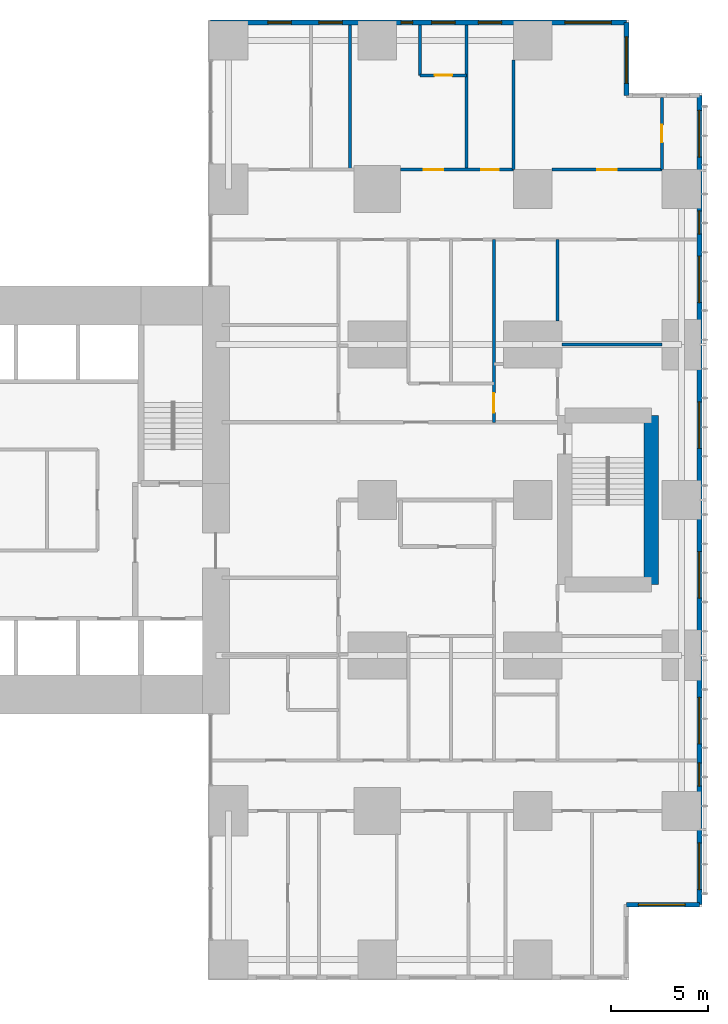
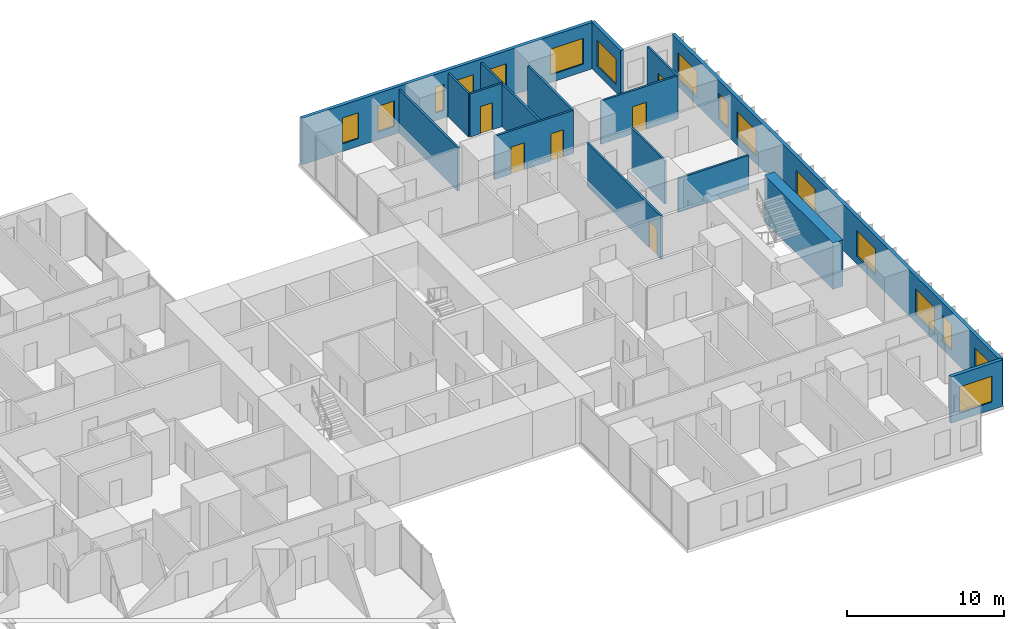
# One storey, part 18 of 20: 16 walls, 16 windows, 6 doors, 22 openings.
"""IFC4 building model written with IfcOpenShell, lengths in metres."""

from ifc_helpers import new_model, si_unit, direction, frame, frame_2d, origin, place, context, subcontext, project, spatial, rectangle, extrude, material, layer, layer_set, type_object, element, fill, save


model = new_model("IFC4")

# Units and contexts
model_context = context("Model", 3, precision=1e-05, world=origin(), true_north=direction((0.0, 1.0)))
body_context = subcontext(model_context, "Body", "Model", "MODEL_VIEW")
ifc_project = project(units=[si_unit("LENGTHUNIT", "METRE"), si_unit("AREAUNIT", "SQUARE_METRE"), si_unit("VOLUMEUNIT", "CUBIC_METRE"), si_unit("PLANEANGLEUNIT", "RADIAN"), si_unit("MASSUNIT", "GRAM", prefix="KILO")], contexts=[model_context])

# Site, building, storey
site_placement = place(None, origin())
site = spatial("IfcSite", under=ifc_project, at=site_placement, CompositionType="ELEMENT")
building_placement = place(site_placement, origin())
building = spatial("IfcBuilding", under=site, at=building_placement, Name="Cleftline Residences", CompositionType="ELEMENT")
storey_placement = place(building_placement, frame((0.0, 0.0, 83.60009765625)))
storey = spatial("IfcBuildingStorey", under=building, at=storey_placement, Name="L21", CompositionType="ELEMENT", Elevation=83.60009765625)

# Wall, opening, window
ifc_material_1 = material(Name="Rendered reinforced concrete blockwork", Category="masonry")
ifc_layer_1 = layer(ifc_material_1, 0.25)
ifc_layer_set_1 = layer_set([ifc_layer_1], Name="EXTERNAL WALL 250")
wall_type_1 = type_object("IfcWallType", Name="EXTERNAL WALL 250", PredefinedType="SOLIDWALL", material=ifc_layer_set_1)
wall_1_placement = place(storey_placement, frame((62.824951171875, 3.175048828125, 0.0), z_axis=(0.0, 0.0, 1.0), x_axis=(1.0, 0.0, 0.0)))
wall_1 = element("IfcWall", 1, at=wall_1_placement, inside=storey, type_object=wall_type_1, Name="External wall", PredefinedType="SOLIDWALL", context=body_context, shape_type="SweptSolid", body=[
    extrude(rectangle(XDim=3.75, YDim=0.25, at=frame_2d((1.875, 0.0))), origin(), (0.0, 0.0, 1.0), 3.599853515625),
])
opening_1_placement = place(wall_1_placement, frame((0.612548828125, 0.0, 0.60009765625)))
opening_1 = element("IfcOpeningElement", 2, at=opening_1_placement, cuts=wall_1, Name="Opening W6", PredefinedType="OPENING", context=body_context, shape_type="SweptSolid", body=[
    extrude(rectangle(XDim=2.39990234375, YDim=2.0, at=frame_2d((1.199951171875, 1.0))), frame((0.0, 0.135009765625, 0.0), z_axis=(0.0, -1.0, 0.0), x_axis=(1.0, 0.0, 0.0)), (0.0, 0.0, 1.0), 0.27001953125),
])
ifc_material_2 = material(Name="Aluminium frame, clear double glazing", Category="aluminium")
window_type_1 = type_object("IfcWindowType", Name="WINDOW 2400X2000", PartitioningType="DOUBLE_PANEL_VERTICAL", PredefinedType="WINDOW", material=ifc_material_2)
window_1_placement = place(opening_1_placement, origin())
window_1 = element("IfcWindow", 3, at=window_1_placement, inside=storey, type_object=window_type_1, Name="Window", OverallHeight=2.0, OverallWidth=2.39990234375, PartitioningType="SINGLE_PANEL", PredefinedType="WINDOW", context=body_context, shape_type="SweptSolid", body=[
    extrude(rectangle(XDim=2.39990234375, YDim=2.0, at=frame_2d((1.199951171875, 1.0))), frame((0.0, 0.030029296875, 0.0), z_axis=(0.0, -1.0, 0.0), x_axis=(1.0, 0.0, 0.0)), (0.0, 0.0, 1.0), 0.06005859375),
])
fill(opening_1, window_1)

# Wall, openings, windows
wall_2_placement = place(storey_placement, frame((66.574951171875, 3.175048828125, 0.0), z_axis=(0.0, 0.0, 1.0), x_axis=(0.0, 1.0, 0.0)))
wall_2 = element("IfcWall", 4, at=wall_2_placement, inside=storey, type_object=wall_type_1, Name="External wall", PredefinedType="SOLIDWALL", context=body_context, shape_type="SweptSolid", body=[
    extrude(rectangle(XDim=41.64990234375, YDim=0.25, at=frame_2d((20.824951171875, 0.0))), origin(), (0.0, 0.0, 1.0), 3.599853515625),
])
opening_2_placement = place(wall_2_placement, frame((0.77490234375, 0.0, 0.60009765625)))
opening_2 = element("IfcOpeningElement", 5, at=opening_2_placement, cuts=wall_2, Name="Opening W6", PredefinedType="OPENING", context=body_context, shape_type="SweptSolid", body=[
    extrude(rectangle(XDim=2.39990234375, YDim=2.0, at=frame_2d((1.199951171875, 1.0))), frame((0.0, 0.135009765625, 0.0), z_axis=(0.0, -1.0, 0.0), x_axis=(1.0, 0.0, 0.0)), (0.0, 0.0, 1.0), 0.27001953125),
])
opening_3_placement = place(wall_2_placement, frame((6.10009765625, 0.0, 0.60009765625)))
opening_3 = element("IfcOpeningElement", 6, at=opening_3_placement, cuts=wall_2, Name="Opening W8", PredefinedType="OPENING", context=body_context, shape_type="SweptSolid", body=[
    extrude(rectangle(XDim=1.199951171875, YDim=2.0, at=frame_2d((0.60009765625, 1.0))), frame((0.0, 0.135009765625, 0.0), z_axis=(0.0, -1.0, 0.0), x_axis=(1.0, 0.0, 0.0)), (0.0, 0.0, 1.0), 0.27001953125),
])
opening_4_placement = place(wall_2_placement, frame((8.27490234375, 0.0, 0.60009765625)))
opening_4 = element("IfcOpeningElement", 7, at=opening_4_placement, cuts=wall_2, Name="Opening W6", PredefinedType="OPENING", context=body_context, shape_type="SweptSolid", body=[
    extrude(rectangle(XDim=2.39990234375, YDim=2.0, at=frame_2d((1.199951171875, 1.0))), frame((0.0, 0.135009765625, 0.0), z_axis=(0.0, -1.0, 0.0), x_axis=(1.0, 0.0, 0.0)), (0.0, 0.0, 1.0), 0.27001953125),
])
opening_5_placement = place(wall_2_placement, frame((15.77490234375, 0.0, 0.60009765625)))
opening_5 = element("IfcOpeningElement", 8, at=opening_5_placement, cuts=wall_2, Name="Opening W6", PredefinedType="OPENING", context=body_context, shape_type="SweptSolid", body=[
    extrude(rectangle(XDim=2.39990234375, YDim=2.0, at=frame_2d((1.199951171875, 1.0))), frame((0.0, 0.135009765625, 0.0), z_axis=(0.0, -1.0, 0.0), x_axis=(1.0, 0.0, 0.0)), (0.0, 0.0, 1.0), 0.27001953125),
])
opening_6_placement = place(wall_2_placement, frame((23.47509765625, 0.0, 0.60009765625)))
opening_6 = element("IfcOpeningElement", 9, at=opening_6_placement, cuts=wall_2, Name="Opening W6", PredefinedType="OPENING", context=body_context, shape_type="SweptSolid", body=[
    extrude(rectangle(XDim=2.39990234375, YDim=2.0, at=frame_2d((1.199951171875, 1.0))), frame((0.0, 0.135009765625, 0.0), z_axis=(0.0, -1.0, 0.0), x_axis=(1.0, 0.0, 0.0)), (0.0, 0.0, 1.0), 0.27001953125),
])
opening_7_placement = place(wall_2_placement, frame((30.97509765625, 0.0, 0.60009765625)))
opening_7 = element("IfcOpeningElement", 10, at=opening_7_placement, cuts=wall_2, Name="Opening W6", PredefinedType="OPENING", context=body_context, shape_type="SweptSolid", body=[
    extrude(rectangle(XDim=2.39990234375, YDim=2.0, at=frame_2d((1.199951171875, 1.0))), frame((0.0, 0.135009765625, 0.0), z_axis=(0.0, -1.0, 0.0), x_axis=(1.0, 0.0, 0.0)), (0.0, 0.0, 1.0), 0.27001953125),
])
opening_8_placement = place(wall_2_placement, frame((34.5, 0.0, 0.60009765625)))
opening_8 = element("IfcOpeningElement", 11, at=opening_8_placement, cuts=wall_2, Name="Opening W8", PredefinedType="OPENING", context=body_context, shape_type="SweptSolid", body=[
    extrude(rectangle(XDim=1.199951171875, YDim=2.0, at=frame_2d((0.60009765625, 1.0))), frame((0.0, 0.135009765625, 0.0), z_axis=(0.0, -1.0, 0.0), x_axis=(1.0, 0.0, 0.0)), (0.0, 0.0, 1.0), 0.27001953125),
])
opening_9_placement = place(wall_2_placement, frame((38.47509765625, 0.0, 0.60009765625)))
opening_9 = element("IfcOpeningElement", 12, at=opening_9_placement, cuts=wall_2, Name="Opening W6", PredefinedType="OPENING", context=body_context, shape_type="SweptSolid", body=[
    extrude(rectangle(XDim=2.39990234375, YDim=2.0, at=frame_2d((1.199951171875, 1.0))), frame((0.0, 0.135009765625, 0.0), z_axis=(0.0, -1.0, 0.0), x_axis=(1.0, 0.0, 0.0)), (0.0, 0.0, 1.0), 0.27001953125),
])
ifc_material_3 = material(Name="Aluminium frame, clear double glazing", Category="aluminium")
window_type_2 = type_object("IfcWindowType", Name="WINDOW 1200X2000", PartitioningType="DOUBLE_PANEL_VERTICAL", PredefinedType="WINDOW", material=ifc_material_3)
window_2_placement = place(opening_3_placement, origin())
window_2 = element("IfcWindow", 13, at=window_2_placement, inside=storey, type_object=window_type_2, Name="Window", OverallHeight=2.0, OverallWidth=1.199951171875, PartitioningType="SINGLE_PANEL", PredefinedType="WINDOW", context=body_context, shape_type="SweptSolid", body=[
    extrude(rectangle(XDim=1.199951171875, YDim=2.0, at=frame_2d((0.60009765625, 1.0))), frame((0.0, 0.030029296875, 0.0), z_axis=(0.0, -1.0, 0.0), x_axis=(1.0, 0.0, 0.0)), (0.0, 0.0, 1.0), 0.06005859375),
])
fill(opening_3, window_2)
window_3_placement = place(opening_8_placement, origin())
window_3 = element("IfcWindow", 14, at=window_3_placement, inside=storey, type_object=window_type_2, Name="Window", OverallHeight=2.0, OverallWidth=1.199951171875, PartitioningType="SINGLE_PANEL", PredefinedType="WINDOW", context=body_context, shape_type="SweptSolid", body=[
    extrude(rectangle(XDim=1.199951171875, YDim=2.0, at=frame_2d((0.60009765625, 1.0))), frame((0.0, 0.030029296875, 0.0), z_axis=(0.0, -1.0, 0.0), x_axis=(1.0, 0.0, 0.0)), (0.0, 0.0, 1.0), 0.06005859375),
])
fill(opening_8, window_3)
window_4_placement = place(opening_2_placement, origin())
window_4 = element("IfcWindow", 15, at=window_4_placement, inside=storey, type_object=window_type_1, Name="Window", OverallHeight=2.0, OverallWidth=2.39990234375, PartitioningType="SINGLE_PANEL", PredefinedType="WINDOW", context=body_context, shape_type="SweptSolid", body=[
    extrude(rectangle(XDim=2.39990234375, YDim=2.0, at=frame_2d((1.199951171875, 1.0))), frame((0.0, 0.030029296875, 0.0), z_axis=(0.0, -1.0, 0.0), x_axis=(1.0, 0.0, 0.0)), (0.0, 0.0, 1.0), 0.06005859375),
])
fill(opening_2, window_4)
window_5_placement = place(opening_4_placement, origin())
window_5 = element("IfcWindow", 16, at=window_5_placement, inside=storey, type_object=window_type_1, Name="Window", OverallHeight=2.0, OverallWidth=2.39990234375, PartitioningType="SINGLE_PANEL", PredefinedType="WINDOW", context=body_context, shape_type="SweptSolid", body=[
    extrude(rectangle(XDim=2.39990234375, YDim=2.0, at=frame_2d((1.199951171875, 1.0))), frame((0.0, 0.030029296875, 0.0), z_axis=(0.0, -1.0, 0.0), x_axis=(1.0, 0.0, 0.0)), (0.0, 0.0, 1.0), 0.06005859375),
])
fill(opening_4, window_5)
window_6_placement = place(opening_5_placement, origin())
window_6 = element("IfcWindow", 17, at=window_6_placement, inside=storey, type_object=window_type_1, Name="Window", OverallHeight=2.0, OverallWidth=2.39990234375, PartitioningType="SINGLE_PANEL", PredefinedType="WINDOW", context=body_context, shape_type="SweptSolid", body=[
    extrude(rectangle(XDim=2.39990234375, YDim=2.0, at=frame_2d((1.199951171875, 1.0))), frame((0.0, 0.030029296875, 0.0), z_axis=(0.0, -1.0, 0.0), x_axis=(1.0, 0.0, 0.0)), (0.0, 0.0, 1.0), 0.06005859375),
])
fill(opening_5, window_6)
window_7_placement = place(opening_6_placement, origin())
window_7 = element("IfcWindow", 18, at=window_7_placement, inside=storey, type_object=window_type_1, Name="Window", OverallHeight=2.0, OverallWidth=2.39990234375, PartitioningType="SINGLE_PANEL", PredefinedType="WINDOW", context=body_context, shape_type="SweptSolid", body=[
    extrude(rectangle(XDim=2.39990234375, YDim=2.0, at=frame_2d((1.199951171875, 1.0))), frame((0.0, 0.030029296875, 0.0), z_axis=(0.0, -1.0, 0.0), x_axis=(1.0, 0.0, 0.0)), (0.0, 0.0, 1.0), 0.06005859375),
])
fill(opening_6, window_7)
window_8_placement = place(opening_7_placement, origin())
window_8 = element("IfcWindow", 19, at=window_8_placement, inside=storey, type_object=window_type_1, Name="Window", OverallHeight=2.0, OverallWidth=2.39990234375, PartitioningType="SINGLE_PANEL", PredefinedType="WINDOW", context=body_context, shape_type="SweptSolid", body=[
    extrude(rectangle(XDim=2.39990234375, YDim=2.0, at=frame_2d((1.199951171875, 1.0))), frame((0.0, 0.030029296875, 0.0), z_axis=(0.0, -1.0, 0.0), x_axis=(1.0, 0.0, 0.0)), (0.0, 0.0, 1.0), 0.06005859375),
])
fill(opening_7, window_8)
window_9_placement = place(opening_9_placement, origin())
window_9 = element("IfcWindow", 20, at=window_9_placement, inside=storey, type_object=window_type_1, Name="Window", OverallHeight=2.0, OverallWidth=2.39990234375, PartitioningType="SINGLE_PANEL", PredefinedType="WINDOW", context=body_context, shape_type="SweptSolid", body=[
    extrude(rectangle(XDim=2.39990234375, YDim=2.0, at=frame_2d((1.199951171875, 1.0))), frame((0.0, 0.030029296875, 0.0), z_axis=(0.0, -1.0, 0.0), x_axis=(1.0, 0.0, 0.0)), (0.0, 0.0, 1.0), 0.06005859375),
])
fill(opening_9, window_9)

# Wall, opening, window
wall_3_placement = place(storey_placement, frame((62.824951171875, 44.824951171875, 0.0), z_axis=(0.0, 0.0, 1.0), x_axis=(0.0, 1.0, 0.0)))
wall_3 = element("IfcWall", 21, at=wall_3_placement, inside=storey, type_object=wall_type_1, Name="External wall", PredefinedType="SOLIDWALL", context=body_context, shape_type="SweptSolid", body=[
    extrude(rectangle(XDim=3.75, YDim=0.25, at=frame_2d((1.875, 0.0))), origin(), (0.0, 0.0, 1.0), 3.599853515625),
])
opening_10_placement = place(wall_3_placement, frame((0.612548828125, 0.0, 0.60009765625)))
opening_10 = element("IfcOpeningElement", 22, at=opening_10_placement, cuts=wall_3, Name="Opening W6", PredefinedType="OPENING", context=body_context, shape_type="SweptSolid", body=[
    extrude(rectangle(XDim=2.39990234375, YDim=2.0, at=frame_2d((1.199951171875, 1.0))), frame((0.0, 0.135009765625, 0.0), z_axis=(0.0, -1.0, 0.0), x_axis=(1.0, 0.0, 0.0)), (0.0, 0.0, 1.0), 0.27001953125),
])
window_10_placement = place(opening_10_placement, origin())
window_10 = element("IfcWindow", 23, at=window_10_placement, inside=storey, type_object=window_type_1, Name="Window", OverallHeight=2.0, OverallWidth=2.39990234375, PartitioningType="SINGLE_PANEL", PredefinedType="WINDOW", context=body_context, shape_type="SweptSolid", body=[
    extrude(rectangle(XDim=2.39990234375, YDim=2.0, at=frame_2d((1.199951171875, 1.0))), frame((0.0, 0.030029296875, 0.0), z_axis=(0.0, -1.0, 0.0), x_axis=(1.0, 0.0, 0.0)), (0.0, 0.0, 1.0), 0.06005859375),
])
fill(opening_10, window_10)

# Wall, openings, windows
wall_4_placement = place(storey_placement, frame((62.824951171875, 48.574951171875, 0.0), z_axis=(0.0, 0.0, 1.0), x_axis=(-1.0, 0.0, 0.0)))
wall_4 = element("IfcWall", 24, at=wall_4_placement, inside=storey, type_object=wall_type_1, Name="External wall", PredefinedType="SOLIDWALL", context=body_context, shape_type="SweptSolid", body=[
    extrude(rectangle(XDim=21.39990234375, YDim=0.25, at=frame_2d((10.699951171875, 0.0))), origin(), (0.0, 0.0, 1.0), 3.599853515625),
])
opening_11_placement = place(wall_4_placement, frame((0.77490234375, 0.0, 0.60009765625)))
opening_11 = element("IfcOpeningElement", 25, at=opening_11_placement, cuts=wall_4, Name="Opening W6", PredefinedType="OPENING", context=body_context, shape_type="SweptSolid", body=[
    extrude(rectangle(XDim=2.39990234375, YDim=2.0, at=frame_2d((1.199951171875, 1.0))), frame((0.0, 0.135009765625, 0.0), z_axis=(0.0, -1.0, 0.0), x_axis=(1.0, 0.0, 0.0)), (0.0, 0.0, 1.0), 0.27001953125),
])
opening_12_placement = place(wall_4_placement, frame((6.425048828125, 0.0, 0.60009765625)))
opening_12 = element("IfcOpeningElement", 26, at=opening_12_placement, cuts=wall_4, Name="Opening W8", PredefinedType="OPENING", context=body_context, shape_type="SweptSolid", body=[
    extrude(rectangle(XDim=1.199951171875, YDim=2.0, at=frame_2d((0.60009765625, 1.0))), frame((0.0, 0.135009765625, 0.0), z_axis=(0.0, -1.0, 0.0), x_axis=(1.0, 0.0, 0.0)), (0.0, 0.0, 1.0), 0.27001953125),
])
opening_13_placement = place(wall_4_placement, frame((8.824951171875, 0.0, 0.60009765625)))
opening_13 = element("IfcOpeningElement", 27, at=opening_13_placement, cuts=wall_4, Name="Opening W8", PredefinedType="OPENING", context=body_context, shape_type="SweptSolid", body=[
    extrude(rectangle(XDim=1.199951171875, YDim=2.0, at=frame_2d((0.60009765625, 1.0))), frame((0.0, 0.135009765625, 0.0), z_axis=(0.0, -1.0, 0.0), x_axis=(1.0, 0.0, 0.0)), (0.0, 0.0, 1.0), 0.27001953125),
])
opening_14_placement = place(wall_4_placement, frame((11.0, 0.0, 0.60009765625)))
opening_14 = element("IfcOpeningElement", 28, at=opening_14_placement, cuts=wall_4, Name="Opening W7", PredefinedType="OPENING", context=body_context, shape_type="SweptSolid", body=[
    extrude(rectangle(XDim=0.60009765625, YDim=2.0, at=frame_2d((0.300048828125, 1.0))), frame((0.0, 0.135009765625, 0.0), z_axis=(0.0, -1.0, 0.0), x_axis=(1.0, 0.0, 0.0)), (0.0, 0.0, 1.0), 0.27001953125),
])
opening_15_placement = place(wall_4_placement, frame((14.625, 0.0, 0.60009765625)))
opening_15 = element("IfcOpeningElement", 29, at=opening_15_placement, cuts=wall_4, Name="Opening W8", PredefinedType="OPENING", context=body_context, shape_type="SweptSolid", body=[
    extrude(rectangle(XDim=1.199951171875, YDim=2.0, at=frame_2d((0.60009765625, 1.0))), frame((0.0, 0.135009765625, 0.0), z_axis=(0.0, -1.0, 0.0), x_axis=(1.0, 0.0, 0.0)), (0.0, 0.0, 1.0), 0.27001953125),
])
opening_16_placement = place(wall_4_placement, frame((17.25, 0.0, 0.60009765625)))
opening_16 = element("IfcOpeningElement", 30, at=opening_16_placement, cuts=wall_4, Name="Opening W8", PredefinedType="OPENING", context=body_context, shape_type="SweptSolid", body=[
    extrude(rectangle(XDim=1.199951171875, YDim=2.0, at=frame_2d((0.60009765625, 1.0))), frame((0.0, 0.135009765625, 0.0), z_axis=(0.0, -1.0, 0.0), x_axis=(1.0, 0.0, 0.0)), (0.0, 0.0, 1.0), 0.27001953125),
])
window_11_placement = place(opening_12_placement, origin())
window_11 = element("IfcWindow", 31, at=window_11_placement, inside=storey, type_object=window_type_2, Name="Window", OverallHeight=2.0, OverallWidth=1.199951171875, PartitioningType="SINGLE_PANEL", PredefinedType="WINDOW", context=body_context, shape_type="SweptSolid", body=[
    extrude(rectangle(XDim=1.199951171875, YDim=2.0, at=frame_2d((0.60009765625, 1.0))), frame((0.0, 0.030029296875, 0.0), z_axis=(0.0, -1.0, 0.0), x_axis=(1.0, 0.0, 0.0)), (0.0, 0.0, 1.0), 0.06005859375),
])
fill(opening_12, window_11)
window_12_placement = place(opening_13_placement, origin())
window_12 = element("IfcWindow", 32, at=window_12_placement, inside=storey, type_object=window_type_2, Name="Window", OverallHeight=2.0, OverallWidth=1.199951171875, PartitioningType="SINGLE_PANEL", PredefinedType="WINDOW", context=body_context, shape_type="SweptSolid", body=[
    extrude(rectangle(XDim=1.199951171875, YDim=2.0, at=frame_2d((0.60009765625, 1.0))), frame((0.0, 0.030029296875, 0.0), z_axis=(0.0, -1.0, 0.0), x_axis=(1.0, 0.0, 0.0)), (0.0, 0.0, 1.0), 0.06005859375),
])
fill(opening_13, window_12)
window_13_placement = place(opening_15_placement, origin())
window_13 = element("IfcWindow", 33, at=window_13_placement, inside=storey, type_object=window_type_2, Name="Window", OverallHeight=2.0, OverallWidth=1.199951171875, PartitioningType="SINGLE_PANEL", PredefinedType="WINDOW", context=body_context, shape_type="SweptSolid", body=[
    extrude(rectangle(XDim=1.199951171875, YDim=2.0, at=frame_2d((0.60009765625, 1.0))), frame((0.0, 0.030029296875, 0.0), z_axis=(0.0, -1.0, 0.0), x_axis=(1.0, 0.0, 0.0)), (0.0, 0.0, 1.0), 0.06005859375),
])
fill(opening_15, window_13)
window_14_placement = place(opening_16_placement, origin())
window_14 = element("IfcWindow", 34, at=window_14_placement, inside=storey, type_object=window_type_2, Name="Window", OverallHeight=2.0, OverallWidth=1.199951171875, PartitioningType="SINGLE_PANEL", PredefinedType="WINDOW", context=body_context, shape_type="SweptSolid", body=[
    extrude(rectangle(XDim=1.199951171875, YDim=2.0, at=frame_2d((0.60009765625, 1.0))), frame((0.0, 0.030029296875, 0.0), z_axis=(0.0, -1.0, 0.0), x_axis=(1.0, 0.0, 0.0)), (0.0, 0.0, 1.0), 0.06005859375),
])
fill(opening_16, window_14)
window_15_placement = place(opening_11_placement, origin())
window_15 = element("IfcWindow", 35, at=window_15_placement, inside=storey, type_object=window_type_1, Name="Window", OverallHeight=2.0, OverallWidth=2.39990234375, PartitioningType="SINGLE_PANEL", PredefinedType="WINDOW", context=body_context, shape_type="SweptSolid", body=[
    extrude(rectangle(XDim=2.39990234375, YDim=2.0, at=frame_2d((1.199951171875, 1.0))), frame((0.0, 0.030029296875, 0.0), z_axis=(0.0, -1.0, 0.0), x_axis=(1.0, 0.0, 0.0)), (0.0, 0.0, 1.0), 0.06005859375),
])
fill(opening_11, window_15)
ifc_material_4 = material(Name="Aluminium frame, clear double glazing", Category="aluminium")
window_type_3 = type_object("IfcWindowType", Name="WINDOW 600X2000", PartitioningType="DOUBLE_PANEL_VERTICAL", PredefinedType="WINDOW", material=ifc_material_4)
window_16_placement = place(opening_14_placement, origin())
window_16 = element("IfcWindow", 36, at=window_16_placement, inside=storey, type_object=window_type_3, Name="Window", OverallHeight=2.0, OverallWidth=0.60009765625, PartitioningType="SINGLE_PANEL", PredefinedType="WINDOW", context=body_context, shape_type="SweptSolid", body=[
    extrude(rectangle(XDim=0.60009765625, YDim=2.0, at=frame_2d((0.300048828125, 1.0))), frame((0.0, 0.030029296875, 0.0), z_axis=(0.0, -1.0, 0.0), x_axis=(1.0, 0.0, 0.0)), (0.0, 0.0, 1.0), 0.06005859375),
])
fill(opening_14, window_16)

# Wall
ifc_material_5 = material(Name="Gypsum board on steel studs", Category="steel")
ifc_layer_2 = layer(ifc_material_5, 0.14990234375)
ifc_layer_set_2 = layer_set([ifc_layer_2], Name="PARTITION 150")
wall_type_2 = type_object("IfcWallType", Name="PARTITION 150", PredefinedType="PARTITIONING", material=ifc_layer_set_2)
wall_5_placement = place(storey_placement, frame((59.5, 32.0, 0.0), z_axis=(0.0, 0.0, 1.0), x_axis=(1.0, 0.0, 0.0)))
element("IfcWall", 37, at=wall_5_placement, inside=storey, type_object=wall_type_2, Name="Partition", PredefinedType="PARTITIONING", context=body_context, shape_type="SweptSolid", body=[
    extrude(rectangle(XDim=5.14990234375, YDim=0.14990234375, at=frame_2d((2.574951171875, 0.0))), origin(), (0.0, 0.0, 1.0), 2.6337890625),
])

# Wall, openings, doors
wall_6_placement = place(storey_placement, frame((51.199951171875, 41.0, 0.0), z_axis=(0.0, 0.0, 1.0), x_axis=(1.0, 0.0, 0.0)))
wall_6 = element("IfcWall", 38, at=wall_6_placement, inside=storey, type_object=wall_type_2, Name="Partition", PredefinedType="PARTITIONING", context=body_context, shape_type="SweptSolid", body=[
    extrude(rectangle(XDim=5.800048828125, YDim=0.14990234375, at=frame_2d((2.89990234375, 0.0))), origin(), (0.0, 0.0, 1.0), 3.349853515625),
])
opening_17_placement = place(wall_6_placement, frame((4.14990234375, 0.0, 0.0)))
opening_17 = element("IfcOpeningElement", 39, at=opening_17_placement, cuts=wall_6, Name="Opening D1", PredefinedType="OPENING", context=body_context, shape_type="SweptSolid", body=[
    extrude(rectangle(XDim=0.89990234375, YDim=2.10009765625, at=frame_2d((0.449951171875, 1.050048828125))), frame((0.0, 0.0849609375, 0.0), z_axis=(0.0, -1.0, 0.0), x_axis=(1.0, 0.0, 0.0)), (0.0, 0.0, 1.0), 0.169921875),
])
opening_18_placement = place(wall_6_placement, frame((1.199951171875, 0.0, 0.0)))
opening_18 = element("IfcOpeningElement", 40, at=opening_18_placement, cuts=wall_6, Name="Opening D2", PredefinedType="OPENING", context=body_context, shape_type="SweptSolid", body=[
    extrude(rectangle(XDim=1.0, YDim=2.10009765625, at=frame_2d((0.5, 1.050048828125))), frame((0.0, 0.0849609375, 0.0), z_axis=(0.0, -1.0, 0.0), x_axis=(1.0, 0.0, 0.0)), (0.0, 0.0, 1.0), 0.169921875),
])
ifc_material_6 = material(Name="Timber veneer on solid core", Category="wood")
door_type_1 = type_object("IfcDoorType", Name="DOOR 1000X2100", OperationType="SINGLE_SWING_LEFT", PredefinedType="DOOR", material=ifc_material_6)
door_1_placement = place(opening_18_placement, origin())
door_1 = element("IfcDoor", 41, at=door_1_placement, inside=storey, type_object=door_type_1, Name="Door to bedroom 2", OperationType="SINGLE_SWING_RIGHT", OverallHeight=2.10009765625, OverallWidth=1.0, PredefinedType="DOOR", context=body_context, shape_type="SweptSolid", body=[
    extrude(rectangle(XDim=1.0, YDim=2.10009765625, at=frame_2d((0.5, 1.050048828125))), frame((0.0, 0.02490234375, 0.0), z_axis=(0.0, -1.0, 0.0), x_axis=(1.0, 0.0, 0.0)), (0.0, 0.0, 1.0), 0.050048828125),
])
fill(opening_18, door_1)
ifc_material_7 = material(Name="Timber veneer on solid core", Category="wood")
door_type_2 = type_object("IfcDoorType", Name="DOOR 900X2100", OperationType="SINGLE_SWING_LEFT", PredefinedType="DOOR", material=ifc_material_7)
door_2_placement = place(opening_17_placement, origin())
door_2 = element("IfcDoor", 42, at=door_2_placement, inside=storey, type_object=door_type_2, Name="Door to master dressing room", OperationType="SINGLE_SWING_LEFT", OverallHeight=2.10009765625, OverallWidth=0.89990234375, PredefinedType="DOOR", context=body_context, shape_type="SweptSolid", body=[
    extrude(rectangle(XDim=0.89990234375, YDim=2.10009765625, at=frame_2d((0.449951171875, 1.050048828125))), frame((0.0, 0.02490234375, 0.0), z_axis=(0.0, -1.0, 0.0), x_axis=(1.0, 0.0, 0.0)), (0.0, 0.0, 1.0), 0.050048828125),
])
fill(opening_17, door_2)

# Wall, opening, door
wall_7_placement = place(storey_placement, frame((59.0, 41.0, 0.0), z_axis=(0.0, 0.0, 1.0), x_axis=(1.0, 0.0, 0.0)))
wall_7 = element("IfcWall", 43, at=wall_7_placement, inside=storey, type_object=wall_type_2, Name="Partition", PredefinedType="PARTITIONING", context=body_context, shape_type="SweptSolid", body=[
    extrude(rectangle(XDim=5.64990234375, YDim=0.14990234375, at=frame_2d((2.824951171875, 0.0))), origin(), (0.0, 0.0, 1.0), 3.349853515625),
])
opening_19_placement = place(wall_7_placement, frame((2.324951171875, 0.0, 0.0)))
opening_19 = element("IfcOpeningElement", 44, at=opening_19_placement, cuts=wall_7, Name="Opening D2", PredefinedType="OPENING", context=body_context, shape_type="SweptSolid", body=[
    extrude(rectangle(XDim=1.0, YDim=2.10009765625, at=frame_2d((0.5, 1.050048828125))), frame((0.0, 0.0849609375, 0.0), z_axis=(0.0, -1.0, 0.0), x_axis=(1.0, 0.0, 0.0)), (0.0, 0.0, 1.0), 0.169921875),
])
door_3_placement = place(opening_19_placement, origin())
door_3 = element("IfcDoor", 45, at=door_3_placement, inside=storey, type_object=door_type_1, Name="Door to master bedroom", OperationType="SINGLE_SWING_LEFT", OverallHeight=2.10009765625, OverallWidth=1.0, PredefinedType="DOOR", context=body_context, shape_type="SweptSolid", body=[
    extrude(rectangle(XDim=1.0, YDim=2.10009765625, at=frame_2d((0.5, 1.050048828125))), frame((0.0, 0.02490234375, 0.0), z_axis=(0.0, -1.0, 0.0), x_axis=(1.0, 0.0, 0.0)), (0.0, 0.0, 1.0), 0.050048828125),
])
fill(opening_19, door_3)

wall_8_placement = place(storey_placement, frame((52.199951171875, 45.85009765625, 0.0), z_axis=(0.0, 0.0, 1.0), x_axis=(1.0, 0.0, 0.0)))
wall_8 = element("IfcWall", 46, at=wall_8_placement, inside=storey, type_object=wall_type_2, Name="Partition", PredefinedType="PARTITIONING", context=body_context, shape_type="SweptSolid", body=[
    extrude(rectangle(XDim=2.400146484375, YDim=0.14990234375, at=frame_2d((1.2001953125, 0.0))), origin(), (0.0, 0.0, 1.0), 3.349853515625),
])
opening_20_placement = place(wall_8_placement, frame((0.75, 0.0, 0.0)))
opening_20 = element("IfcOpeningElement", 47, at=opening_20_placement, cuts=wall_8, Name="Opening D1", PredefinedType="OPENING", context=body_context, shape_type="SweptSolid", body=[
    extrude(rectangle(XDim=0.89990234375, YDim=2.10009765625, at=frame_2d((0.449951171875, 1.050048828125))), frame((0.0, 0.0849609375, 0.0), z_axis=(0.0, -1.0, 0.0), x_axis=(1.0, 0.0, 0.0)), (0.0, 0.0, 1.0), 0.169921875),
])
door_4_placement = place(opening_20_placement, origin())
door_4 = element("IfcDoor", 48, at=door_4_placement, inside=storey, type_object=door_type_2, Name="Door to en-suite bathroom 2", OperationType="SINGLE_SWING_LEFT", OverallHeight=2.10009765625, OverallWidth=0.89990234375, PredefinedType="DOOR", context=body_context, shape_type="SweptSolid", body=[
    extrude(rectangle(XDim=0.89990234375, YDim=2.10009765625, at=frame_2d((0.449951171875, 1.050048828125))), frame((0.0, 0.02490234375, 0.0), z_axis=(0.0, -1.0, 0.0), x_axis=(1.0, 0.0, 0.0)), (0.0, 0.0, 1.0), 0.050048828125),
])
fill(opening_20, door_4)

# Walls
wall_9_placement = place(storey_placement, frame((48.60009765625, 41.0, 0.0), z_axis=(0.0, 0.0, 1.0), x_axis=(0.0, 1.0, 0.0)))
element("IfcWall", 49, at=wall_9_placement, inside=storey, type_object=wall_type_2, Name="Partition", PredefinedType="PARTITIONING", context=body_context, shape_type="SweptSolid", body=[
    extrude(rectangle(XDim=7.449951171875, YDim=0.14990234375, at=frame_2d((3.72509765625, 0.0))), origin(), (0.0, 0.0, 1.0), 3.349853515625),
])
wall_10_placement = place(storey_placement, frame((52.199951171875, 45.85009765625, 0.0), z_axis=(0.0, 0.0, 1.0), x_axis=(0.0, 1.0, 0.0)))
element("IfcWall", 50, at=wall_10_placement, inside=storey, type_object=wall_type_2, Name="Partition", PredefinedType="PARTITIONING", context=body_context, shape_type="SweptSolid", body=[
    extrude(rectangle(XDim=2.599853515625, YDim=0.14990234375, at=frame_2d((1.2998046875, 0.0))), origin(), (0.0, 0.0, 1.0), 3.349853515625),
])
wall_11_placement = place(storey_placement, frame((54.60009765625, 41.0, 0.0), z_axis=(0.0, 0.0, 1.0), x_axis=(0.0, 1.0, 0.0)))
element("IfcWall", 51, at=wall_11_placement, inside=storey, type_object=wall_type_2, Name="Partition", PredefinedType="PARTITIONING", context=body_context, shape_type="SweptSolid", body=[
    extrude(rectangle(XDim=7.449951171875, YDim=0.14990234375, at=frame_2d((3.72509765625, 0.0))), origin(), (0.0, 0.0, 1.0), 3.349853515625),
])

# Wall, opening, door
wall_12_placement = place(storey_placement, frame((56.0, 28.0, 0.0), z_axis=(0.0, 0.0, 1.0), x_axis=(0.0, 1.0, 0.0)))
wall_12 = element("IfcWall", 52, at=wall_12_placement, inside=storey, type_object=wall_type_2, Name="Partition", PredefinedType="PARTITIONING", context=body_context, shape_type="SweptSolid", body=[
    extrude(rectangle(XDim=9.39990234375, YDim=0.14990234375, at=frame_2d((4.699951171875, 0.0))), origin(), (0.0, 0.0, 1.0), 3.349853515625),
])
opening_21_placement = place(wall_12_placement, frame((0.5, 0.0, 0.0)))
opening_21 = element("IfcOpeningElement", 53, at=opening_21_placement, cuts=wall_12, Name="Opening D2F30", PredefinedType="OPENING", context=body_context, shape_type="SweptSolid", body=[
    extrude(rectangle(XDim=1.0, YDim=2.10009765625, at=frame_2d((0.5, 1.050048828125))), frame((0.0, 0.0849609375, 0.0), z_axis=(0.0, -1.0, 0.0), x_axis=(1.0, 0.0, 0.0)), (0.0, 0.0, 1.0), 0.169921875),
])
ifc_material_8 = material(Name="Timber veneer on solid core", Category="wood")
door_type_3 = type_object("IfcDoorType", Name="DOOR 1000X2100 EI 30", OperationType="SINGLE_SWING_LEFT", PredefinedType="DOOR", material=ifc_material_8)
door_5_placement = place(opening_21_placement, origin())
door_5 = element("IfcDoor", 54, at=door_5_placement, inside=storey, type_object=door_type_3, Name="Door to residence lobby (service)", OperationType="SINGLE_SWING_RIGHT", OverallHeight=2.10009765625, OverallWidth=1.0, PredefinedType="DOOR", context=body_context, shape_type="SweptSolid", body=[
    extrude(rectangle(XDim=1.0, YDim=2.10009765625, at=frame_2d((0.5, 1.050048828125))), frame((0.0, 0.02490234375, 0.0), z_axis=(0.0, -1.0, 0.0), x_axis=(1.0, 0.0, 0.0)), (0.0, 0.0, 1.0), 0.050048828125),
])
fill(opening_21, door_5)

# Walls
wall_13_placement = place(storey_placement, frame((57.0, 41.0, 0.0), z_axis=(0.0, 0.0, 1.0), x_axis=(0.0, 1.0, 0.0)))
element("IfcWall", 55, at=wall_13_placement, inside=storey, type_object=wall_type_2, Name="Partition", PredefinedType="PARTITIONING", context=body_context, shape_type="SweptSolid", body=[
    extrude(rectangle(XDim=5.64990234375, YDim=0.14990234375, at=frame_2d((2.824951171875, 0.0))), origin(), (0.0, 0.0, 1.0), 3.349853515625),
])
wall_14_placement = place(storey_placement, frame((59.27490234375, 33.199951171875, 0.0), z_axis=(0.0, 0.0, 1.0), x_axis=(0.0, 1.0, 0.0)))
element("IfcWall", 56, at=wall_14_placement, inside=storey, type_object=wall_type_2, Name="Partition", PredefinedType="PARTITIONING", context=body_context, shape_type="SweptSolid", body=[
    extrude(rectangle(XDim=4.199951171875, YDim=0.14990234375, at=frame_2d((2.10009765625, 0.0))), origin(), (0.0, 0.0, 1.0), 3.349853515625),
])

# Wall, opening, door
wall_15_placement = place(storey_placement, frame((64.64990234375, 41.0, 0.0), z_axis=(0.0, 0.0, 1.0), x_axis=(0.0, 1.0, 0.0)))
wall_15 = element("IfcWall", 57, at=wall_15_placement, inside=storey, type_object=wall_type_2, Name="Partition", PredefinedType="PARTITIONING", context=body_context, shape_type="SweptSolid", body=[
    extrude(rectangle(XDim=3.699951171875, YDim=0.14990234375, at=frame_2d((1.85009765625, 0.0))), origin(), (0.0, 0.0, 1.0), 3.349853515625),
])
opening_22_placement = place(wall_15_placement, frame((1.39990234375, 0.0, 0.0)))
opening_22 = element("IfcOpeningElement", 58, at=opening_22_placement, cuts=wall_15, Name="Opening D1", PredefinedType="OPENING", context=body_context, shape_type="SweptSolid", body=[
    extrude(rectangle(XDim=0.89990234375, YDim=2.10009765625, at=frame_2d((0.449951171875, 1.050048828125))), frame((0.0, 0.0849609375, 0.0), z_axis=(0.0, -1.0, 0.0), x_axis=(1.0, 0.0, 0.0)), (0.0, 0.0, 1.0), 0.169921875),
])
door_6_placement = place(opening_22_placement, origin())
door_6 = element("IfcDoor", 59, at=door_6_placement, inside=storey, type_object=door_type_2, Name="Door to walk-in wardrobe", OperationType="SINGLE_SWING_LEFT", OverallHeight=2.10009765625, OverallWidth=0.89990234375, PredefinedType="DOOR", context=body_context, shape_type="SweptSolid", body=[
    extrude(rectangle(XDim=0.89990234375, YDim=2.10009765625, at=frame_2d((0.449951171875, 1.050048828125))), frame((0.0, 0.02490234375, 0.0), z_axis=(0.0, -1.0, 0.0), x_axis=(1.0, 0.0, 0.0)), (0.0, 0.0, 1.0), 0.050048828125),
])
fill(opening_22, door_6)

# Wall
ifc_material_9 = material(Name="Concrete B70", Category="concrete")
ifc_layer_3 = layer(ifc_material_9, 0.75)
ifc_layer_set_3 = layer_set([ifc_layer_3], Name="SHEAR WALL 750")
wall_type_3 = type_object("IfcWallType", Name="SHEAR WALL 750", PredefinedType="SHEAR", material=ifc_layer_set_3)
wall_16_placement = place(storey_placement, frame((64.10009765625, 19.64990234375, 0.0), z_axis=(0.0, 0.0, 1.0), x_axis=(0.0, 1.0, 0.0)))
element("IfcWall", 60, at=wall_16_placement, inside=storey, type_object=wall_type_3, Name="Wing shear wall", PredefinedType="SHEAR", context=body_context, shape_type="SweptSolid", body=[
    extrude(rectangle(XDim=8.7001953125, YDim=0.75, at=frame_2d((4.35009765625, 0.0))), origin(), (0.0, 0.0, 1.0), 3.599853515625),
])

save(model, "model.ifc")
